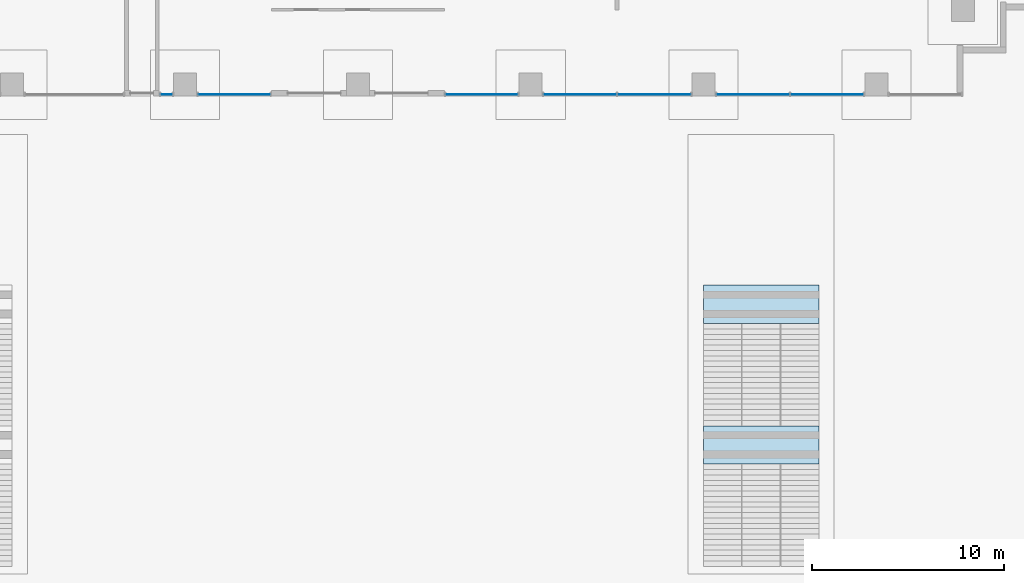
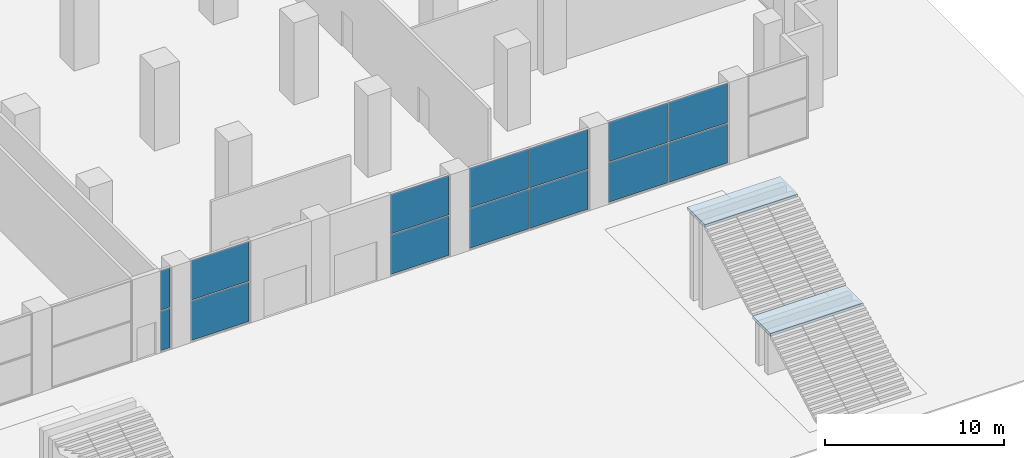
# One storey, part 10 of 20: 14 plates, 2 slabs, 6 elements without a shape of their own.
"""IFC4 building model written with IfcOpenShell, lengths in metres."""

from ifc_helpers import new_model, si_unit, direction, frame, origin, origin_2d, place, context, subcontext, project, spatial, polyline, rectangle, outline, extrude, material, layer, layer_set, type_object, element, aggregate, save


model = new_model("IFC4")

# Units and contexts
model_context = context("Model", 3, precision=1e-05, world=origin(), true_north=direction((0.0, 1.0)))
body_context = subcontext(model_context, "Body", "Model", "MODEL_VIEW")
ifc_project = project(units=[si_unit("LENGTHUNIT", "METRE"), si_unit("AREAUNIT", "SQUARE_METRE"), si_unit("VOLUMEUNIT", "CUBIC_METRE"), si_unit("PLANEANGLEUNIT", "RADIAN"), si_unit("MASSUNIT", "GRAM", prefix="KILO")], contexts=[model_context])

# Site, building, storey
site_placement = place(None, origin())
site = spatial("IfcSite", under=ifc_project, at=site_placement, CompositionType="ELEMENT")
building_placement = place(site_placement, origin())
building = spatial("IfcBuilding", under=site, at=building_placement, Name="Orbiselva Terraces", CompositionType="ELEMENT")
storey_placement = place(building_placement, origin())
storey = spatial("IfcBuildingStorey", under=building, at=storey_placement, Name="L00", CompositionType="ELEMENT", Elevation=0.0)

# Stair, slabs
ifc_material_1 = material(Name="Concrete C40/50", Category="concrete")
stair_type = type_object("IfcStairType", Name="ENV-BROAD-STAIR", PredefinedType="STRAIGHT_RUN_STAIR", material=ifc_material_1)
stair_placement = place(storey_placement, origin())
stair = element("IfcStair", 1, at=stair_placement, inside=storey, type_object=stair_type, Name="Broad stair 2 lower", PredefinedType="STRAIGHT_RUN_STAIR")
ifc_layer_1 = layer(ifc_material_1, 0.2)
ifc_layer_set_1 = layer_set([ifc_layer_1], Name="Concrete C40/50")
slab_type = type_object("IfcSlabType", Name="ENV-BROAD-STAIR-LANDING-200", PredefinedType="LANDING", material=ifc_layer_set_1)
slab_1_placement = place(storey_placement, frame((0.0, 0.0, 2.8)))
slab_1 = element("IfcSlab", 2, at=slab_1_placement, type_object=slab_type, Name="BR1 landing 1", PredefinedType="LANDING", context=body_context, shape_type="SweptSolid", body=[
    extrude(outline(polyline([(18.0, -50.66), (24.0, -50.66), (24.0, -48.66), (18.0, -48.66), (18.0, -50.66)])), origin(), (0.0, 0.0, 1.0), 0.2),
])
slab_2_placement = place(storey_placement, frame((0.0, 0.0, 5.8)))
slab_2 = element("IfcSlab", 3, at=slab_2_placement, type_object=slab_type, Name="BR1 landing 2", PredefinedType="LANDING", context=body_context, shape_type="SweptSolid", body=[
    extrude(outline(polyline([(18.0, -43.34), (24.0, -43.34), (24.0, -41.34), (18.0, -41.34), (18.0, -43.34)])), origin(), (0.0, 0.0, 1.0), 0.2),
])
aggregate(stair, [slab_1, slab_2])

# Curtain wall, plates
ifc_material_2 = material(Name="Clear low-e glazing in aluminium frame", Category="aluminium")
curtain_wall_type = type_object("IfcCurtainWallType", Name="ENV-CW-LOBBY", PredefinedType="NOTDEFINED", material=ifc_material_2)
curtain_wall_1_placement = place(storey_placement, origin())
curtain_wall_1 = element("IfcCurtainWall", 4, at=curtain_wall_1_placement, inside=storey, type_object=curtain_wall_type, Name="Curtain wall L00 S", PredefinedType="NOTDEFINED")
ifc_material_3 = material(Name="Clear low-e glass", Category="glass")
ifc_layer_2 = layer(ifc_material_3, 0.028)
ifc_layer_set_2 = layer_set([ifc_layer_2], Name="Clear low-e glass")
plate_type = type_object("IfcPlateType", Name="ENV-CW-LOBBY-PANEL-28", PredefinedType="CURTAIN_PANEL", material=ifc_layer_set_2)
plate_1_placement = place(storey_placement, frame((-9.975, -31.4, 0.075), z_axis=(0.0, 0.0, 1.0), x_axis=(1.0, 0.0, 0.0)))
plate_1 = element("IfcPlate", 5, at=plate_1_placement, type_object=plate_type, Name="CW1 panel 1.1", PredefinedType="CURTAIN_PANEL", context=body_context, shape_type="SweptSolid", body=[
    extrude(rectangle(XDim=0.6, YDim=0.028, at=origin_2d()), origin(), (0.0, 0.0, 1.0), 2.6875),
])
plate_2_placement = place(storey_placement, frame((-9.975, -31.4, 2.8375), z_axis=(0.0, 0.0, 1.0), x_axis=(1.0, 0.0, 0.0)))
plate_2 = element("IfcPlate", 6, at=plate_2_placement, type_object=plate_type, Name="CW1 panel 1.2", PredefinedType="CURTAIN_PANEL", context=body_context, shape_type="SweptSolid", body=[
    extrude(rectangle(XDim=0.6, YDim=0.028, at=origin_2d()), origin(), (0.0, 0.0, 1.0), 2.6875),
])
aggregate(curtain_wall_1, [plate_1, plate_2])

curtain_wall_2_placement = place(storey_placement, origin())
curtain_wall_2 = element("IfcCurtainWall", 7, at=curtain_wall_2_placement, inside=storey, type_object=curtain_wall_type, Name="Curtain wall L00 S", PredefinedType="NOTDEFINED")
plate_3_placement = place(storey_placement, frame((-6.45, -31.4, 0.075), z_axis=(0.0, 0.0, 1.0), x_axis=(1.0, 0.0, 0.0)))
plate_3 = element("IfcPlate", 8, at=plate_3_placement, type_object=plate_type, Name="CW1 panel 1.1", PredefinedType="CURTAIN_PANEL", context=body_context, shape_type="SweptSolid", body=[
    extrude(rectangle(XDim=3.75, YDim=0.028, at=origin_2d()), origin(), (0.0, 0.0, 1.0), 2.6875),
])
plate_4_placement = place(storey_placement, frame((-6.45, -31.4, 2.8375), z_axis=(0.0, 0.0, 1.0), x_axis=(1.0, 0.0, 0.0)))
plate_4 = element("IfcPlate", 9, at=plate_4_placement, type_object=plate_type, Name="CW1 panel 1.2", PredefinedType="CURTAIN_PANEL", context=body_context, shape_type="SweptSolid", body=[
    extrude(rectangle(XDim=3.75, YDim=0.028, at=origin_2d()), origin(), (0.0, 0.0, 1.0), 2.6875),
])
aggregate(curtain_wall_2, [plate_3, plate_4])

curtain_wall_3_placement = place(storey_placement, origin())
curtain_wall_3 = element("IfcCurtainWall", 10, at=curtain_wall_3_placement, inside=storey, type_object=curtain_wall_type, Name="Curtain wall L00 S", PredefinedType="NOTDEFINED")
plate_5_placement = place(storey_placement, frame((6.45, -31.4, 0.075), z_axis=(0.0, 0.0, 1.0), x_axis=(1.0, 0.0, 0.0)))
plate_5 = element("IfcPlate", 11, at=plate_5_placement, type_object=plate_type, Name="CW1 panel 1.1", PredefinedType="CURTAIN_PANEL", context=body_context, shape_type="SweptSolid", body=[
    extrude(rectangle(XDim=3.75, YDim=0.028, at=origin_2d()), origin(), (0.0, 0.0, 1.0), 2.6875),
])
plate_6_placement = place(storey_placement, frame((6.45, -31.4, 2.8375), z_axis=(0.0, 0.0, 1.0), x_axis=(1.0, 0.0, 0.0)))
plate_6 = element("IfcPlate", 12, at=plate_6_placement, type_object=plate_type, Name="CW1 panel 1.2", PredefinedType="CURTAIN_PANEL", context=body_context, shape_type="SweptSolid", body=[
    extrude(rectangle(XDim=3.75, YDim=0.028, at=origin_2d()), origin(), (0.0, 0.0, 1.0), 2.6875),
])
aggregate(curtain_wall_3, [plate_5, plate_6])

curtain_wall_4_placement = place(storey_placement, origin())
curtain_wall_4 = element("IfcCurtainWall", 13, at=curtain_wall_4_placement, inside=storey, type_object=curtain_wall_type, Name="Curtain wall L00 S", PredefinedType="NOTDEFINED")
plate_7_placement = place(storey_placement, frame((11.56875, -31.4, 0.075), z_axis=(0.0, 0.0, 1.0), x_axis=(1.0, 0.0, 0.0)))
plate_7 = element("IfcPlate", 14, at=plate_7_placement, type_object=plate_type, Name="CW1 panel 1.1", PredefinedType="CURTAIN_PANEL", context=body_context, shape_type="SweptSolid", body=[
    extrude(rectangle(XDim=3.7875, YDim=0.028, at=origin_2d()), origin(), (0.0, 0.0, 1.0), 2.6875),
])
plate_8_placement = place(storey_placement, frame((11.56875, -31.4, 2.8375), z_axis=(0.0, 0.0, 1.0), x_axis=(1.0, 0.0, 0.0)))
plate_8 = element("IfcPlate", 15, at=plate_8_placement, type_object=plate_type, Name="CW1 panel 1.2", PredefinedType="CURTAIN_PANEL", context=body_context, shape_type="SweptSolid", body=[
    extrude(rectangle(XDim=3.7875, YDim=0.028, at=origin_2d()), origin(), (0.0, 0.0, 1.0), 2.6875),
])
plate_9_placement = place(storey_placement, frame((15.43125, -31.4, 0.075), z_axis=(0.0, 0.0, 1.0), x_axis=(1.0, 0.0, 0.0)))
plate_9 = element("IfcPlate", 16, at=plate_9_placement, type_object=plate_type, Name="CW1 panel 2.1", PredefinedType="CURTAIN_PANEL", context=body_context, shape_type="SweptSolid", body=[
    extrude(rectangle(XDim=3.7875, YDim=0.028, at=origin_2d()), origin(), (0.0, 0.0, 1.0), 2.6875),
])
plate_10_placement = place(storey_placement, frame((15.43125, -31.4, 2.8375), z_axis=(0.0, 0.0, 1.0), x_axis=(1.0, 0.0, 0.0)))
plate_10 = element("IfcPlate", 17, at=plate_10_placement, type_object=plate_type, Name="CW1 panel 2.2", PredefinedType="CURTAIN_PANEL", context=body_context, shape_type="SweptSolid", body=[
    extrude(rectangle(XDim=3.7875, YDim=0.028, at=origin_2d()), origin(), (0.0, 0.0, 1.0), 2.6875),
])
aggregate(curtain_wall_4, [plate_7, plate_8, plate_9, plate_10])

curtain_wall_5_placement = place(storey_placement, origin())
curtain_wall_5 = element("IfcCurtainWall", 18, at=curtain_wall_5_placement, inside=storey, type_object=curtain_wall_type, Name="Curtain wall L00 S", PredefinedType="NOTDEFINED")
plate_11_placement = place(storey_placement, frame((20.56875, -31.4, 0.075), z_axis=(0.0, 0.0, 1.0), x_axis=(1.0, 0.0, 0.0)))
plate_11 = element("IfcPlate", 19, at=plate_11_placement, type_object=plate_type, Name="CW1 panel 1.1", PredefinedType="CURTAIN_PANEL", context=body_context, shape_type="SweptSolid", body=[
    extrude(rectangle(XDim=3.7875, YDim=0.028, at=origin_2d()), origin(), (0.0, 0.0, 1.0), 2.6875),
])
plate_12_placement = place(storey_placement, frame((20.56875, -31.4, 2.8375), z_axis=(0.0, 0.0, 1.0), x_axis=(1.0, 0.0, 0.0)))
plate_12 = element("IfcPlate", 20, at=plate_12_placement, type_object=plate_type, Name="CW1 panel 1.2", PredefinedType="CURTAIN_PANEL", context=body_context, shape_type="SweptSolid", body=[
    extrude(rectangle(XDim=3.7875, YDim=0.028, at=origin_2d()), origin(), (0.0, 0.0, 1.0), 2.6875),
])
plate_13_placement = place(storey_placement, frame((24.43125, -31.4, 0.075), z_axis=(0.0, 0.0, 1.0), x_axis=(1.0, 0.0, 0.0)))
plate_13 = element("IfcPlate", 21, at=plate_13_placement, type_object=plate_type, Name="CW1 panel 2.1", PredefinedType="CURTAIN_PANEL", context=body_context, shape_type="SweptSolid", body=[
    extrude(rectangle(XDim=3.7875, YDim=0.028, at=origin_2d()), origin(), (0.0, 0.0, 1.0), 2.6875),
])
plate_14_placement = place(storey_placement, frame((24.43125, -31.4, 2.8375), z_axis=(0.0, 0.0, 1.0), x_axis=(1.0, 0.0, 0.0)))
plate_14 = element("IfcPlate", 22, at=plate_14_placement, type_object=plate_type, Name="CW1 panel 2.2", PredefinedType="CURTAIN_PANEL", context=body_context, shape_type="SweptSolid", body=[
    extrude(rectangle(XDim=3.7875, YDim=0.028, at=origin_2d()), origin(), (0.0, 0.0, 1.0), 2.6875),
])
aggregate(curtain_wall_5, [plate_11, plate_12, plate_13, plate_14])

save(model, "model.ifc")
